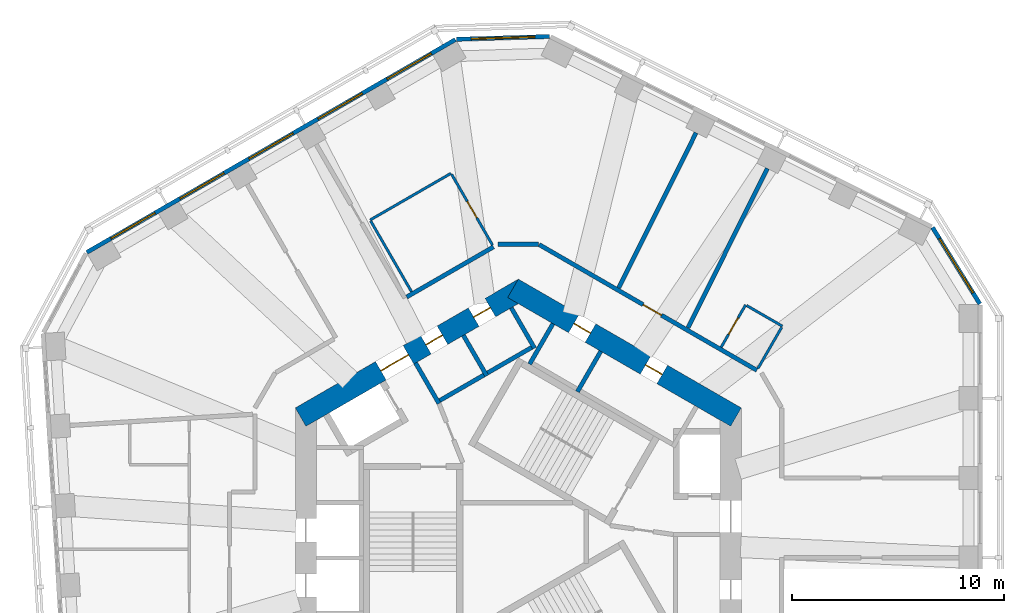
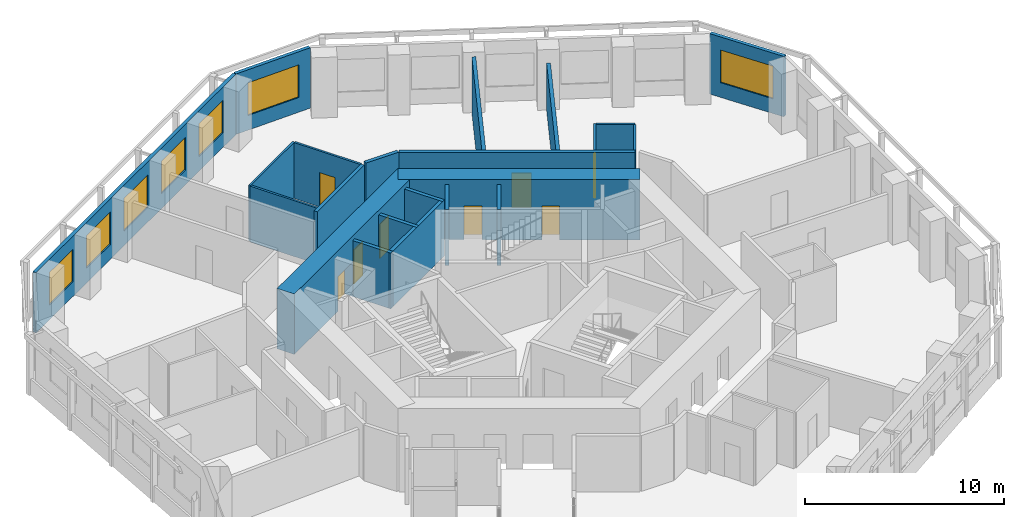
# One storey, part 7 of 11: 22 walls, 8 doors, 7 windows, 15 openings.
"""IFC4 building model written with IfcOpenShell, lengths in metres."""

from ifc_helpers import new_model, si_unit, direction, frame, frame_2d, origin, place, context, subcontext, project, spatial, rectangle, extrude, material, layer, layer_set, type_object, element, fill, save


model = new_model("IFC4")

# Units and contexts
model_context = context("Model", 3, precision=1e-05, world=origin(), true_north=direction((0.0, 1.0)))
body_context = subcontext(model_context, "Body", "Model", "MODEL_VIEW")
ifc_project = project(units=[si_unit("LENGTHUNIT", "METRE"), si_unit("AREAUNIT", "SQUARE_METRE"), si_unit("VOLUMEUNIT", "CUBIC_METRE"), si_unit("PLANEANGLEUNIT", "RADIAN"), si_unit("MASSUNIT", "GRAM", prefix="KILO")], contexts=[model_context])

# Site, building, storey
site_placement = place(None, origin())
site = spatial("IfcSite", under=ifc_project, at=site_placement, CompositionType="ELEMENT")
building_placement = place(site_placement, origin())
building = spatial("IfcBuilding", under=site, at=building_placement, Name="Vanh Sen Convention Tower", CompositionType="ELEMENT")
storey_placement = place(building_placement, frame((0.0, 0.0, 150.300048828125)))
storey = spatial("IfcBuildingStorey", under=building, at=storey_placement, Name="L36", CompositionType="ELEMENT", Elevation=150.300048828125)

# Walls
ifc_material_1 = material(Name="Moisture-resistant gypsum board on steel studs", Category="steel")
ifc_layer_1 = layer(ifc_material_1, 0.1201171875)
ifc_layer_set_1 = layer_set([ifc_layer_1], Name="Moisture-resistant gypsum board on steel studs")
wall_type_1 = type_object("IfcWallType", Name="Bathroom partition 120", PredefinedType="PARTITIONING", material=ifc_layer_set_1)
wall_1_placement = place(storey_placement, frame((-6.97705078125, 14.908935546875, 0.0), z_axis=(0.0, 0.0, 1.0), x_axis=(0.866032203192, 0.499988222896, 0.0)))
element("IfcWall", 1, at=wall_1_placement, inside=storey, type_object=wall_type_1, Name="Bathroom partition 120", PredefinedType="PARTITIONING", context=body_context, shape_type="SweptSolid", body=[
    extrude(rectangle(XDim=4.39990234375, YDim=0.1201171875, at=frame_2d((2.199951171875, 0.0))), origin(), (0.0, 0.0, 1.0), 3.419921875),
])
wall_2_placement = place(storey_placement, frame((-5.027099609375, 11.531494140625, 0.0), z_axis=(0.0, 0.0, 1.0), x_axis=(-0.499995802899, 0.866027826969, 0.0)))
element("IfcWall", 2, at=wall_2_placement, inside=storey, type_object=wall_type_1, Name="Bathroom partition 120", PredefinedType="PARTITIONING", context=body_context, shape_type="SweptSolid", body=[
    extrude(rectangle(XDim=3.83984375, YDim=0.1201171875, at=frame_2d((1.919921875, 0.0))), origin(), (0.0, 0.0, 1.0), 3.419921875),
])

# Wall, opening, door
wall_3_placement = place(storey_placement, frame((-3.136474609375, 17.056884765625, 0.0), z_axis=(0.0, 0.0, 1.0), x_axis=(0.499995802899, -0.866027826969, 0.0)))
wall_3 = element("IfcWall", 3, at=wall_3_placement, inside=storey, type_object=wall_type_1, Name="Bathroom partition 120", PredefinedType="PARTITIONING", context=body_context, shape_type="SweptSolid", body=[
    extrude(rectangle(XDim=3.83984375, YDim=0.1201171875, at=frame_2d((1.919921875, 0.0))), origin(), (0.0, 0.0, 1.0), 3.419921875),
])
opening_1_placement = place(wall_3_placement, frame((1.469970703125, 0.0, 0.0)))
opening_1 = element("IfcOpeningElement", 4, at=opening_1_placement, cuts=wall_3, Name="Opening D35105", PredefinedType="OPENING", context=body_context, shape_type="SweptSolid", body=[
    extrude(rectangle(XDim=0.89990234375, YDim=2.10009765625, at=frame_2d((0.449951171875, 1.050048828125))), frame((0.0, 0.070068359375, 0.0), z_axis=(0.0, -1.0, 0.0), x_axis=(1.0, 0.0, 0.0)), (0.0, 0.0, 1.0), 0.14013671875),
])
ifc_material_2 = material(Name="Laminate door in steel frame", Category="steel")
door_type_1 = type_object("IfcDoorType", Name="Room internal door 900", OperationType="SINGLE_SWING_LEFT", PredefinedType="DOOR", material=ifc_material_2)
door_1_placement = place(opening_1_placement, origin())
door_1 = element("IfcDoor", 5, at=door_1_placement, inside=storey, type_object=door_type_1, Name="Internal room door D35105", OperationType="SINGLE_SWING_LEFT", OverallHeight=2.10009765625, OverallWidth=0.89990234375, PredefinedType="DOOR", context=body_context, shape_type="SweptSolid", body=[
    extrude(rectangle(XDim=0.89990234375, YDim=2.10009765625, at=frame_2d((0.449951171875, 1.050048828125))), frame((0.0, 0.02490234375, 0.0), z_axis=(0.0, -1.0, 0.0), x_axis=(1.0, 0.0, 0.0)), (0.0, 0.0, 1.0), 0.050048828125),
])
fill(opening_1, door_1)

wall_4_placement = place(storey_placement, frame((9.551513671875, 8.919189453125, 0.0), z_axis=(0.0, 0.0, 1.0), x_axis=(0.499952165731, 0.866053019151, 0.0)))
wall_4 = element("IfcWall", 6, at=wall_4_placement, inside=storey, type_object=wall_type_1, Name="Bathroom partition 120", PredefinedType="PARTITIONING", context=body_context, shape_type="SweptSolid", body=[
    extrude(rectangle(XDim=2.300048828125, YDim=0.1201171875, at=frame_2d((1.14990234375, 0.0))), origin(), (0.0, 0.0, 1.0), 3.419921875),
])
opening_2_placement = place(wall_4_placement, frame((0.699951171875, 0.0, 0.0)))
opening_2 = element("IfcOpeningElement", 7, at=opening_2_placement, cuts=wall_4, Name="Opening D35102", PredefinedType="OPENING", context=body_context, shape_type="SweptSolid", body=[
    extrude(rectangle(XDim=0.89990234375, YDim=2.10009765625, at=frame_2d((0.449951171875, 1.050048828125))), frame((0.0, 0.070068359375, 0.0), z_axis=(0.0, -1.0, 0.0), x_axis=(1.0, 0.0, 0.0)), (0.0, 0.0, 1.0), 0.14013671875),
])
door_2_placement = place(opening_2_placement, origin())
door_2 = element("IfcDoor", 8, at=door_2_placement, inside=storey, type_object=door_type_1, Name="Internal room door D35102", OperationType="SINGLE_SWING_LEFT", OverallHeight=2.10009765625, OverallWidth=0.89990234375, PredefinedType="DOOR", context=body_context, shape_type="SweptSolid", body=[
    extrude(rectangle(XDim=0.89990234375, YDim=2.10009765625, at=frame_2d((0.449951171875, 1.050048828125))), frame((0.0, 0.02490234375, 0.0), z_axis=(0.0, -1.0, 0.0), x_axis=(1.0, 0.0, 0.0)), (0.0, 0.0, 1.0), 0.050048828125),
])
fill(opening_2, door_2)

# Walls
wall_5_placement = place(storey_placement, frame((10.75341796875, 10.881103515625, 0.0), z_axis=(0.0, 0.0, 1.0), x_axis=(0.866043088465, -0.499969367985, 0.0)))
element("IfcWall", 9, at=wall_5_placement, inside=storey, type_object=wall_type_1, Name="Bathroom partition 120", PredefinedType="PARTITIONING", context=body_context, shape_type="SweptSolid", body=[
    extrude(rectangle(XDim=1.93994140625, YDim=0.1201171875, at=frame_2d((0.969970703125, 0.0))), origin(), (0.0, 0.0, 1.0), 3.419921875),
])
wall_6_placement = place(storey_placement, frame((12.403564453125, 9.859130859375, 0.0), z_axis=(0.0, 0.0, 1.0), x_axis=(-0.500030632641, -0.866007717299, 0.0)))
element("IfcWall", 10, at=wall_6_placement, inside=storey, type_object=wall_type_1, Name="Bathroom partition 120", PredefinedType="PARTITIONING", context=body_context, shape_type="SweptSolid", body=[
    extrude(rectangle(XDim=2.239990234375, YDim=0.1201171875, at=frame_2d((1.1201171875, 0.0))), origin(), (0.0, 0.0, 1.0), 3.419921875),
])

# Wall, openings, doors
ifc_material_3 = material(Name="Concrete C80/95", Category="concrete")
ifc_layer_2 = layer(ifc_material_3, 1.0)
ifc_layer_set_2 = layer_set([ifc_layer_2], Name="Concrete C80/95")
wall_type_2 = type_object("IfcWallType", Name="Core outer wall 1000 C80/95", PredefinedType="SHEAR", material=ifc_layer_set_2)
wall_7_placement = place(storey_placement, frame((10.25, 5.629150390625, 0.0), z_axis=(0.0, 0.0, 1.0), x_axis=(-0.866022616891, 0.50000482701, 0.0)))
wall_7 = element("IfcWall", 11, at=wall_7_placement, inside=storey, type_object=wall_type_2, Name="Core wall face NE L36", PredefinedType="SHEAR", context=body_context, shape_type="SweptSolid", body=[
    extrude(rectangle(XDim=12.12451171875, YDim=1.0, at=frame_2d((6.062255859375, 0.0))), origin(), (0.0, 0.0, 1.0), 3.699951171875),
])
opening_3_placement = place(wall_7_placement, frame((4.01220703125, 0.0, 0.0)))
opening_3 = element("IfcOpeningElement", 12, at=opening_3_placement, cuts=wall_7, Name="Opening D35011", PredefinedType="OPENING", context=body_context, shape_type="SweptSolid", body=[
    extrude(rectangle(XDim=0.89990234375, YDim=2.10009765625, at=frame_2d((0.449951171875, 1.050048828125))), frame((0.0, 0.510009765625, 0.0), z_axis=(0.0, -1.0, 0.0), x_axis=(1.0, 0.0, 0.0)), (0.0, 0.0, 1.0), 1.02001953125),
])
opening_4_placement = place(wall_7_placement, frame((7.912109375, 0.0, 0.0)))
opening_4 = element("IfcOpeningElement", 13, at=opening_4_placement, cuts=wall_7, Name="Opening D35012", PredefinedType="OPENING", context=body_context, shape_type="SweptSolid", body=[
    extrude(rectangle(XDim=0.89990234375, YDim=2.10009765625, at=frame_2d((0.449951171875, 1.050048828125))), frame((0.0, 0.510009765625, 0.0), z_axis=(0.0, -1.0, 0.0), x_axis=(1.0, 0.0, 0.0)), (0.0, 0.0, 1.0), 1.02001953125),
])
ifc_material_4 = material(Name="Steel S355", Category="steel")
door_type_2 = type_object("IfcDoorType", Name="Plant door 900", OperationType="SINGLE_SWING_LEFT", PredefinedType="DOOR", material=ifc_material_4)
door_3_placement = place(opening_3_placement, origin())
door_3 = element("IfcDoor", 14, at=door_3_placement, inside=storey, type_object=door_type_2, Name="Plant door D35011", OperationType="SINGLE_SWING_LEFT", OverallHeight=2.10009765625, OverallWidth=0.89990234375, PredefinedType="DOOR", context=body_context, shape_type="SweptSolid", body=[
    extrude(rectangle(XDim=0.89990234375, YDim=2.10009765625, at=frame_2d((0.449951171875, 1.050048828125))), frame((0.0, 0.02490234375, 0.0), z_axis=(0.0, -1.0, 0.0), x_axis=(1.0, 0.0, 0.0)), (0.0, 0.0, 1.0), 0.050048828125),
])
fill(opening_3, door_3)
door_4_placement = place(opening_4_placement, origin())
door_4 = element("IfcDoor", 15, at=door_4_placement, inside=storey, type_object=door_type_2, Name="Plant door D35012", OperationType="SINGLE_SWING_LEFT", OverallHeight=2.10009765625, OverallWidth=0.89990234375, PredefinedType="DOOR", context=body_context, shape_type="SweptSolid", body=[
    extrude(rectangle(XDim=0.89990234375, YDim=2.10009765625, at=frame_2d((0.449951171875, 1.050048828125))), frame((0.0, 0.02490234375, 0.0), z_axis=(0.0, -1.0, 0.0), x_axis=(1.0, 0.0, 0.0)), (0.0, 0.0, 1.0), 0.050048828125),
])
fill(opening_4, door_4)

wall_8_placement = place(storey_placement, frame((0.25, 11.69140625, 0.0), z_axis=(0.0, 0.0, 1.0), x_axis=(-0.866022616891, -0.50000482701, 0.0)))
wall_8 = element("IfcWall", 16, at=wall_8_placement, inside=storey, type_object=wall_type_2, Name="Core wall face NW L36", PredefinedType="SHEAR", context=body_context, shape_type="SweptSolid", body=[
    extrude(rectangle(XDim=12.12451171875, YDim=1.0, at=frame_2d((6.062255859375, 0.0))), origin(), (0.0, 0.0, 1.0), 3.699951171875),
])
opening_5_placement = place(wall_8_placement, frame((6.26220703125, 0.0, 0.0)))
opening_5 = element("IfcOpeningElement", 17, at=opening_5_placement, cuts=wall_8, Name="Opening D35002", PredefinedType="OPENING", context=body_context, shape_type="SweptSolid", body=[
    extrude(rectangle(XDim=1.5, YDim=2.10009765625, at=frame_2d((0.75, 1.050048828125))), frame((0.0, 0.510009765625, 0.0), z_axis=(0.0, -1.0, 0.0), x_axis=(1.0, 0.0, 0.0)), (0.0, 0.0, 1.0), 1.02001953125),
])
opening_6_placement = place(wall_8_placement, frame((1.812255859375, 0.0, 0.0)))
opening_6 = element("IfcOpeningElement", 18, at=opening_6_placement, cuts=wall_8, Name="Opening D35013", PredefinedType="OPENING", context=body_context, shape_type="SweptSolid", body=[
    extrude(rectangle(XDim=0.89990234375, YDim=2.10009765625, at=frame_2d((0.449951171875, 1.050048828125))), frame((0.0, 0.510009765625, 0.0), z_axis=(0.0, -1.0, 0.0), x_axis=(1.0, 0.0, 0.0)), (0.0, 0.0, 1.0), 1.02001953125),
])
opening_7_placement = place(wall_8_placement, frame((4.412109375, 0.0, 0.0)))
opening_7 = element("IfcOpeningElement", 19, at=opening_7_placement, cuts=wall_8, Name="Opening D35014", PredefinedType="OPENING", context=body_context, shape_type="SweptSolid", body=[
    extrude(rectangle(XDim=0.89990234375, YDim=2.10009765625, at=frame_2d((0.449951171875, 1.050048828125))), frame((0.0, 0.510009765625, 0.0), z_axis=(0.0, -1.0, 0.0), x_axis=(1.0, 0.0, 0.0)), (0.0, 0.0, 1.0), 1.02001953125),
])
door_5_placement = place(opening_6_placement, origin())
door_5 = element("IfcDoor", 20, at=door_5_placement, inside=storey, type_object=door_type_2, Name="Plant door D35013", OperationType="SINGLE_SWING_LEFT", OverallHeight=2.10009765625, OverallWidth=0.89990234375, PredefinedType="DOOR", context=body_context, shape_type="SweptSolid", body=[
    extrude(rectangle(XDim=0.89990234375, YDim=2.10009765625, at=frame_2d((0.449951171875, 1.050048828125))), frame((0.0, 0.02490234375, 0.0), z_axis=(0.0, -1.0, 0.0), x_axis=(1.0, 0.0, 0.0)), (0.0, 0.0, 1.0), 0.050048828125),
])
fill(opening_6, door_5)
door_6_placement = place(opening_7_placement, origin())
door_6 = element("IfcDoor", 21, at=door_6_placement, inside=storey, type_object=door_type_2, Name="Plant door D35014", OperationType="SINGLE_SWING_LEFT", OverallHeight=2.10009765625, OverallWidth=0.89990234375, PredefinedType="DOOR", context=body_context, shape_type="SweptSolid", body=[
    extrude(rectangle(XDim=0.89990234375, YDim=2.10009765625, at=frame_2d((0.449951171875, 1.050048828125))), frame((0.0, 0.02490234375, 0.0), z_axis=(0.0, -1.0, 0.0), x_axis=(1.0, 0.0, 0.0)), (0.0, 0.0, 1.0), 0.050048828125),
])
fill(opening_7, door_6)
door_type_3 = type_object("IfcDoorType", Name="Stair lobby door 1500", OperationType="DOUBLE_DOOR_SINGLE_SWING", PredefinedType="DOOR", material=ifc_material_4)
door_7_placement = place(opening_5_placement, origin())
door_7 = element("IfcDoor", 22, at=door_7_placement, inside=storey, type_object=door_type_3, Name="Stair lobby door D35002", OperationType="DOUBLE_DOOR_SINGLE_SWING", OverallHeight=2.10009765625, OverallWidth=1.5, PredefinedType="DOOR", context=body_context, shape_type="SweptSolid", body=[
    extrude(rectangle(XDim=1.5, YDim=2.10009765625, at=frame_2d((0.75, 1.050048828125))), frame((0.0, 0.02490234375, 0.0), z_axis=(0.0, -1.0, 0.0), x_axis=(1.0, 0.0, 0.0)), (0.0, 0.0, 1.0), 0.050048828125),
])
fill(opening_5, door_7)

# Walls
ifc_material_5 = material(Name="Gypsum board on steel studs with mineral wool", Category="steel")
ifc_layer_3 = layer(ifc_material_5, 0.199951171875)
ifc_layer_set_3 = layer_set([ifc_layer_3], Name="Gypsum board on steel studs with mineral wool")
wall_type_3 = type_object("IfcWallType", Name="Corridor partition wall 200", PredefinedType="PARTITIONING", material=ifc_layer_set_3)
wall_9_placement = place(storey_placement, frame((-1.16650390625, 13.644775390625, 0.0), z_axis=(0.0, 0.0, 1.0), x_axis=(-0.866034830959, -0.499983671299, 0.0)))
element("IfcWall", 23, at=wall_9_placement, inside=storey, type_object=wall_type_3, Name="Corridor partition wall 200", PredefinedType="PARTITIONING", context=body_context, shape_type="SweptSolid", body=[
    extrude(rectangle(XDim=4.719482421875, YDim=0.199951171875, at=frame_2d((2.35986328125, 0.0))), origin(), (0.0, 0.0, 1.0), 3.419921875),
])
wall_10_placement = place(storey_placement, frame((0.949951171875, 13.769775390625, 0.0), z_axis=(0.0, 0.0, 1.0), x_axis=(-1.0, 0.0, 0.0)))
element("IfcWall", 24, at=wall_10_placement, inside=storey, type_object=wall_type_3, Name="Corridor partition wall 200", PredefinedType="PARTITIONING", context=body_context, shape_type="SweptSolid", body=[
    extrude(rectangle(XDim=1.89990234375, YDim=0.199951171875, at=frame_2d((0.949951171875, 0.0))), origin(), (0.0, 0.0, 1.0), 3.419921875),
])

# Wall, opening, door
wall_11_placement = place(storey_placement, frame((11.2333984375, 7.83251953125, 0.0), z_axis=(0.0, 0.0, 1.0), x_axis=(-0.866021713988, 0.50000639086, 0.0)))
wall_11 = element("IfcWall", 25, at=wall_11_placement, inside=storey, type_object=wall_type_3, Name="Corridor partition wall 200", PredefinedType="PARTITIONING", context=body_context, shape_type="SweptSolid", body=[
    extrude(rectangle(XDim=11.834228515625, YDim=0.199951171875, at=frame_2d((5.9169921875, 0.0))), origin(), (0.0, 0.0, 1.0), 3.419921875),
])
opening_8_placement = place(wall_11_placement, frame((5.184814453125, 0.0, 0.0)))
opening_8 = element("IfcOpeningElement", 26, at=opening_8_placement, cuts=wall_11, Name="Opening D35103", PredefinedType="OPENING", context=body_context, shape_type="SweptSolid", body=[
    extrude(rectangle(XDim=1.0, YDim=2.10009765625, at=frame_2d((0.5, 1.050048828125))), frame((0.0, 0.10986328125, 0.0), z_axis=(0.0, -1.0, 0.0), x_axis=(1.0, 0.0, 0.0)), (0.0, 0.0, 1.0), 0.219970703125),
])
ifc_material_6 = material(Name="Glazed fire door in steel frame", Category="steel")
door_type_4 = type_object("IfcDoorType", Name="Tenant entrance door 1000", OperationType="SINGLE_SWING_LEFT", PredefinedType="DOOR", material=ifc_material_6)
door_8_placement = place(opening_8_placement, origin())
door_8 = element("IfcDoor", 27, at=door_8_placement, inside=storey, type_object=door_type_4, Name="Tenant suite entrance door D35103", OperationType="SINGLE_SWING_LEFT", OverallHeight=2.10009765625, OverallWidth=1.0, PredefinedType="DOOR", context=body_context, shape_type="SweptSolid", body=[
    extrude(rectangle(XDim=1.0, YDim=2.10009765625, at=frame_2d((0.5, 1.050048828125))), frame((0.0, 0.02490234375, 0.0), z_axis=(0.0, -1.0, 0.0), x_axis=(1.0, 0.0, 0.0)), (0.0, 0.0, 1.0), 0.050048828125),
])
fill(opening_8, door_8)

# Wall, opening, window
ifc_material_7 = material(Name="Insulated lightweight infill wall")
ifc_layer_4 = layer(ifc_material_7, 0.199951171875)
ifc_layer_set_4 = layer_set([ifc_layer_4], Name="Insulated lightweight infill wall")
wall_type_4 = type_object("IfcWallType", Name="External wall 200", PredefinedType="STANDARD", material=ifc_layer_set_4)
wall_12_placement = place(storey_placement, frame((21.735107421875, 10.9580078125, 0.0), z_axis=(0.0, 0.0, 1.0), x_axis=(-0.526213807775, 0.850352296702, 0.0)))
wall_12 = element("IfcWall", 28, at=wall_12_placement, inside=storey, type_object=wall_type_4, Name="External wall CH1 L36", PredefinedType="STANDARD", context=body_context, shape_type="SweptSolid", body=[
    extrude(rectangle(XDim=4.23828125, YDim=0.199951171875, at=frame_2d((2.119140625, 0.0))), origin(), (0.0, 0.0, 1.0), 3.699951171875),
])
opening_9_placement = place(wall_12_placement, frame((0.619140625, 0.0, 0.89990234375)))
opening_9 = element("IfcOpeningElement", 29, at=opening_9_placement, cuts=wall_12, Name="Opening WO2-CH11", PredefinedType="OPENING", context=body_context, shape_type="SweptSolid", body=[
    extrude(rectangle(XDim=3.0, YDim=2.0, at=frame_2d((1.5, 1.0))), frame((0.0, 0.10986328125, 0.0), z_axis=(0.0, -1.0, 0.0), x_axis=(1.0, 0.0, 0.0)), (0.0, 0.0, 1.0), 0.219970703125),
])
ifc_material_8 = material(Name="Aluminium frame with clear low-emissivity glass", Category="aluminium")
window_type_1 = type_object("IfcWindowType", Name="Office window 3000 x 2000", PartitioningType="SINGLE_PANEL", PredefinedType="WINDOW", material=ifc_material_8)
window_1_placement = place(opening_9_placement, origin())
window_1 = element("IfcWindow", 30, at=window_1_placement, inside=storey, type_object=window_type_1, Name="Window WO2-CH11", OverallHeight=2.0, OverallWidth=3.0, PartitioningType="SINGLE_PANEL", PredefinedType="WINDOW", context=body_context, shape_type="SweptSolid", body=[
    extrude(rectangle(XDim=3.0, YDim=2.0, at=frame_2d((1.5, 1.0))), frame((0.0, 0.030029296875, 0.0), z_axis=(0.0, -1.0, 0.0), x_axis=(1.0, 0.0, 0.0)), (0.0, 0.0, 1.0), 0.06005859375),
])
fill(opening_9, window_1)

wall_13_placement = place(storey_placement, frame((1.478759765625, 23.552734375, 0.0), z_axis=(0.0, 0.0, 1.0), x_axis=(-0.999534786117, -0.03049936625, 0.0)))
wall_13 = element("IfcWall", 31, at=wall_13_placement, inside=storey, type_object=wall_type_4, Name="External wall CH2 L36", PredefinedType="STANDARD", context=body_context, shape_type="SweptSolid", body=[
    extrude(rectangle(XDim=4.39453125, YDim=0.199951171875, at=frame_2d((2.197265625, 0.0))), origin(), (0.0, 0.0, 1.0), 3.699951171875),
])
opening_10_placement = place(wall_13_placement, frame((0.697509765625, 0.0, 0.89990234375)))
opening_10 = element("IfcOpeningElement", 32, at=opening_10_placement, cuts=wall_13, Name="Opening WO2-CH21", PredefinedType="OPENING", context=body_context, shape_type="SweptSolid", body=[
    extrude(rectangle(XDim=3.0, YDim=2.0, at=frame_2d((1.5, 1.0))), frame((0.0, 0.10986328125, 0.0), z_axis=(0.0, -1.0, 0.0), x_axis=(1.0, 0.0, 0.0)), (0.0, 0.0, 1.0), 0.219970703125),
])
window_2_placement = place(opening_10_placement, origin())
window_2 = element("IfcWindow", 33, at=window_2_placement, inside=storey, type_object=window_type_1, Name="Window WO2-CH21", OverallHeight=2.0, OverallWidth=3.0, PartitioningType="SINGLE_PANEL", PredefinedType="WINDOW", context=body_context, shape_type="SweptSolid", body=[
    extrude(rectangle(XDim=3.0, YDim=2.0, at=frame_2d((1.5, 1.0))), frame((0.0, 0.030029296875, 0.0), z_axis=(0.0, -1.0, 0.0), x_axis=(1.0, 0.0, 0.0)), (0.0, 0.0, 1.0), 0.06005859375),
])
fill(opening_10, window_2)

# Wall, openings, windows
wall_14_placement = place(storey_placement, frame((-2.9609375, 23.4052734375, 0.0), z_axis=(0.0, 0.0, 1.0), x_axis=(-0.866023315909, -0.500003616288, 0.0)))
wall_14 = element("IfcWall", 34, at=wall_14_placement, inside=storey, type_object=wall_type_4, Name="External wall NW L36", PredefinedType="STANDARD", context=body_context, shape_type="SweptSolid", body=[
    extrude(rectangle(XDim=20.043701171875, YDim=0.199951171875, at=frame_2d((10.02197265625, 0.0))), origin(), (0.0, 0.0, 1.0), 3.699951171875),
])
opening_11_placement = place(wall_14_placement, frame((1.314453125, 0.0, 0.89990234375)))
opening_11 = element("IfcOpeningElement", 35, at=opening_11_placement, cuts=wall_14, Name="Opening WO1-NW1", PredefinedType="OPENING", context=body_context, shape_type="SweptSolid", body=[
    extrude(rectangle(XDim=2.39990234375, YDim=2.0, at=frame_2d((1.199951171875, 1.0))), frame((0.0, 0.10986328125, 0.0), z_axis=(0.0, -1.0, 0.0), x_axis=(1.0, 0.0, 0.0)), (0.0, 0.0, 1.0), 0.219970703125),
])
opening_12_placement = place(wall_14_placement, frame((5.068603515625, 0.0, 0.89990234375)))
opening_12 = element("IfcOpeningElement", 36, at=opening_12_placement, cuts=wall_14, Name="Opening WO1-NW2", PredefinedType="OPENING", context=body_context, shape_type="SweptSolid", body=[
    extrude(rectangle(XDim=2.39990234375, YDim=2.0, at=frame_2d((1.199951171875, 1.0))), frame((0.0, 0.10986328125, 0.0), z_axis=(0.0, -1.0, 0.0), x_axis=(1.0, 0.0, 0.0)), (0.0, 0.0, 1.0), 0.219970703125),
])
opening_13_placement = place(wall_14_placement, frame((8.82275390625, 0.0, 0.89990234375)))
opening_13 = element("IfcOpeningElement", 37, at=opening_13_placement, cuts=wall_14, Name="Opening WO1-NW3", PredefinedType="OPENING", context=body_context, shape_type="SweptSolid", body=[
    extrude(rectangle(XDim=2.39990234375, YDim=2.0, at=frame_2d((1.199951171875, 1.0))), frame((0.0, 0.10986328125, 0.0), z_axis=(0.0, -1.0, 0.0), x_axis=(1.0, 0.0, 0.0)), (0.0, 0.0, 1.0), 0.219970703125),
])
opening_14_placement = place(wall_14_placement, frame((12.576904296875, 0.0, 0.89990234375)))
opening_14 = element("IfcOpeningElement", 38, at=opening_14_placement, cuts=wall_14, Name="Opening WO1-NW4", PredefinedType="OPENING", context=body_context, shape_type="SweptSolid", body=[
    extrude(rectangle(XDim=2.39990234375, YDim=2.0, at=frame_2d((1.199951171875, 1.0))), frame((0.0, 0.10986328125, 0.0), z_axis=(0.0, -1.0, 0.0), x_axis=(1.0, 0.0, 0.0)), (0.0, 0.0, 1.0), 0.219970703125),
])
opening_15_placement = place(wall_14_placement, frame((16.330810546875, 0.0, 0.89990234375)))
opening_15 = element("IfcOpeningElement", 39, at=opening_15_placement, cuts=wall_14, Name="Opening WO1-NW5", PredefinedType="OPENING", context=body_context, shape_type="SweptSolid", body=[
    extrude(rectangle(XDim=2.39990234375, YDim=2.0, at=frame_2d((1.199951171875, 1.0))), frame((0.0, 0.10986328125, 0.0), z_axis=(0.0, -1.0, 0.0), x_axis=(1.0, 0.0, 0.0)), (0.0, 0.0, 1.0), 0.219970703125),
])
window_type_2 = type_object("IfcWindowType", Name="Office window 2400 x 2000", PartitioningType="SINGLE_PANEL", PredefinedType="WINDOW", material=ifc_material_8)
window_3_placement = place(opening_11_placement, origin())
window_3 = element("IfcWindow", 40, at=window_3_placement, inside=storey, type_object=window_type_2, Name="Window WO1-NW1", OverallHeight=2.0, OverallWidth=2.39990234375, PartitioningType="SINGLE_PANEL", PredefinedType="WINDOW", context=body_context, shape_type="SweptSolid", body=[
    extrude(rectangle(XDim=2.39990234375, YDim=2.0, at=frame_2d((1.199951171875, 1.0))), frame((0.0, 0.030029296875, 0.0), z_axis=(0.0, -1.0, 0.0), x_axis=(1.0, 0.0, 0.0)), (0.0, 0.0, 1.0), 0.06005859375),
])
fill(opening_11, window_3)
window_4_placement = place(opening_12_placement, origin())
window_4 = element("IfcWindow", 41, at=window_4_placement, inside=storey, type_object=window_type_2, Name="Window WO1-NW2", OverallHeight=2.0, OverallWidth=2.39990234375, PartitioningType="SINGLE_PANEL", PredefinedType="WINDOW", context=body_context, shape_type="SweptSolid", body=[
    extrude(rectangle(XDim=2.39990234375, YDim=2.0, at=frame_2d((1.199951171875, 1.0))), frame((0.0, 0.030029296875, 0.0), z_axis=(0.0, -1.0, 0.0), x_axis=(1.0, 0.0, 0.0)), (0.0, 0.0, 1.0), 0.06005859375),
])
fill(opening_12, window_4)
window_5_placement = place(opening_13_placement, origin())
window_5 = element("IfcWindow", 42, at=window_5_placement, inside=storey, type_object=window_type_2, Name="Window WO1-NW3", OverallHeight=2.0, OverallWidth=2.39990234375, PartitioningType="SINGLE_PANEL", PredefinedType="WINDOW", context=body_context, shape_type="SweptSolid", body=[
    extrude(rectangle(XDim=2.39990234375, YDim=2.0, at=frame_2d((1.199951171875, 1.0))), frame((0.0, 0.030029296875, 0.0), z_axis=(0.0, -1.0, 0.0), x_axis=(1.0, 0.0, 0.0)), (0.0, 0.0, 1.0), 0.06005859375),
])
fill(opening_13, window_5)
window_6_placement = place(opening_14_placement, origin())
window_6 = element("IfcWindow", 43, at=window_6_placement, inside=storey, type_object=window_type_2, Name="Window WO1-NW4", OverallHeight=2.0, OverallWidth=2.39990234375, PartitioningType="SINGLE_PANEL", PredefinedType="WINDOW", context=body_context, shape_type="SweptSolid", body=[
    extrude(rectangle(XDim=2.39990234375, YDim=2.0, at=frame_2d((1.199951171875, 1.0))), frame((0.0, 0.030029296875, 0.0), z_axis=(0.0, -1.0, 0.0), x_axis=(1.0, 0.0, 0.0)), (0.0, 0.0, 1.0), 0.06005859375),
])
fill(opening_14, window_6)
window_7_placement = place(opening_15_placement, origin())
window_7 = element("IfcWindow", 44, at=window_7_placement, inside=storey, type_object=window_type_2, Name="Window WO1-NW5", OverallHeight=2.0, OverallWidth=2.39990234375, PartitioningType="SINGLE_PANEL", PredefinedType="WINDOW", context=body_context, shape_type="SweptSolid", body=[
    extrude(rectangle(XDim=2.39990234375, YDim=2.0, at=frame_2d((1.199951171875, 1.0))), frame((0.0, 0.030029296875, 0.0), z_axis=(0.0, -1.0, 0.0), x_axis=(1.0, 0.0, 0.0)), (0.0, 0.0, 1.0), 0.06005859375),
])
fill(opening_15, window_7)

# Walls
ifc_material_9 = material(Name="Concrete C40/50", Category="concrete")
ifc_layer_5 = layer(ifc_material_9, 0.199951171875)
ifc_layer_set_5 = layer_set([ifc_layer_5], Name="Concrete C40/50")
wall_type_5 = type_object("IfcWallType", Name="Lift shaft wall 200", PredefinedType="PARTITIONING", material=ifc_layer_set_5)
for number, where, z_axis, x_axis, name in (
    (45, (2.783935546875, 6.822021484375, 0.0), (0.0, 0.0, 1.0), (0.50002983664, 0.866008176907, 0.0), "Lift shaft wall L36"),
    (46, (0.5322265625, 8.1220703125, 0.0), (0.0, 0.0, 1.0), (0.500077893725, 0.86598042715, 0.0), "Lift shaft wall L36"),
):
    element("IfcWall", number, at=place(storey_placement, frame(where, z_axis=z_axis, x_axis=x_axis)), inside=storey, type_object=wall_type_5, Name=name, PredefinedType="PARTITIONING", context=body_context, shape_type="SweptSolid", body=[
        extrude(rectangle(XDim=2.199951171875, YDim=0.199951171875, at=frame_2d((1.10009765625, 0.0))), origin(), (0.0, 0.0, 1.0), 3.419921875),
    ])
wall_15_placement = place(storey_placement, frame((0.80322265625, 9.008544921875, 0.0), z_axis=(0.0, 0.0, 1.0), x_axis=(-0.866028230842, -0.499995103361, 0.0)))
element("IfcWall", 47, at=wall_15_placement, inside=storey, type_object=wall_type_5, Name="Lift shaft wall L36", PredefinedType="PARTITIONING", context=body_context, shape_type="SweptSolid", body=[
    extrude(rectangle(XDim=5.39990234375, YDim=0.199951171875, at=frame_2d((2.699951171875, 0.0))), origin(), (0.0, 0.0, 1.0), 3.419921875),
])
wall_16_placement = place(storey_placement, frame((0.7666015625, 8.8720703125, 0.0), z_axis=(0.0, 0.0, 1.0), x_axis=(-0.499994660107, 0.866028486751, 0.0)))
element("IfcWall", 48, at=wall_16_placement, inside=storey, type_object=wall_type_5, Name="Lift shaft wall L36", PredefinedType="PARTITIONING", context=body_context, shape_type="SweptSolid", body=[
    extrude(rectangle(XDim=2.19970703125, YDim=0.199951171875, at=frame_2d((1.099853515625, 0.0))), origin(), (0.0, 0.0, 1.0), 3.419921875),
])
for number, where, z_axis, x_axis, name in (
    (49, (-1.48486328125, 7.572021484375, 0.0), (0.0, 0.0, 1.0), (-0.50002983664, 0.866008176907, 0.0), "Lift shaft wall L36"),
    (50, (-3.736572265625, 6.27197265625, 0.0), (0.0, 0.0, 1.0), (-0.50002983664, 0.866008176907, 0.0), "Lift shaft wall L36"),
):
    element("IfcWall", number, at=place(storey_placement, frame(where, z_axis=z_axis, x_axis=x_axis)), inside=storey, type_object=wall_type_5, Name=name, PredefinedType="PARTITIONING", context=body_context, shape_type="SweptSolid", body=[
        extrude(rectangle(XDim=2.199951171875, YDim=0.199951171875, at=frame_2d((1.10009765625, 0.0))), origin(), (0.0, 0.0, 1.0), 3.419921875),
    ])
ifc_layer_6 = layer(ifc_material_5, 0.199951171875)
ifc_layer_set_6 = layer_set([ifc_layer_6], Name="Gypsum board on steel studs with mineral wool")
wall_type_6 = type_object("IfcWallType", Name="Tenant suite wall 200", PredefinedType="PARTITIONING", material=ifc_layer_set_6)
wall_17_placement = place(storey_placement, frame((8.3701171875, 19.012939453125, 0.0), z_axis=(0.0, 0.0, 1.0), x_axis=(-0.446183598632, -0.894941448538, 0.0)))
element("IfcWall", 51, at=wall_17_placement, inside=storey, type_object=wall_type_6, Name="Tenant suite wall 200", PredefinedType="PARTITIONING", context=body_context, shape_type="SweptSolid", body=[
    extrude(rectangle(XDim=8.15625, YDim=0.199951171875, at=frame_2d((4.078125, 0.0))), origin(), (0.0, 0.0, 1.0), 3.419921875),
])
wall_18_placement = place(storey_placement, frame((11.729736328125, 17.337890625, 0.0), z_axis=(0.0, 0.0, 1.0), x_axis=(-0.446165200553, -0.894950620881, 0.0)))
element("IfcWall", 52, at=wall_18_placement, inside=storey, type_object=wall_type_6, Name="Tenant suite wall 200", PredefinedType="PARTITIONING", context=body_context, shape_type="SweptSolid", body=[
    extrude(rectangle(XDim=8.3857421875, YDim=0.199951171875, at=frame_2d((4.19287109375, 0.0))), origin(), (0.0, 0.0, 1.0), 2.869873046875),
])

save(model, "model.ifc")
